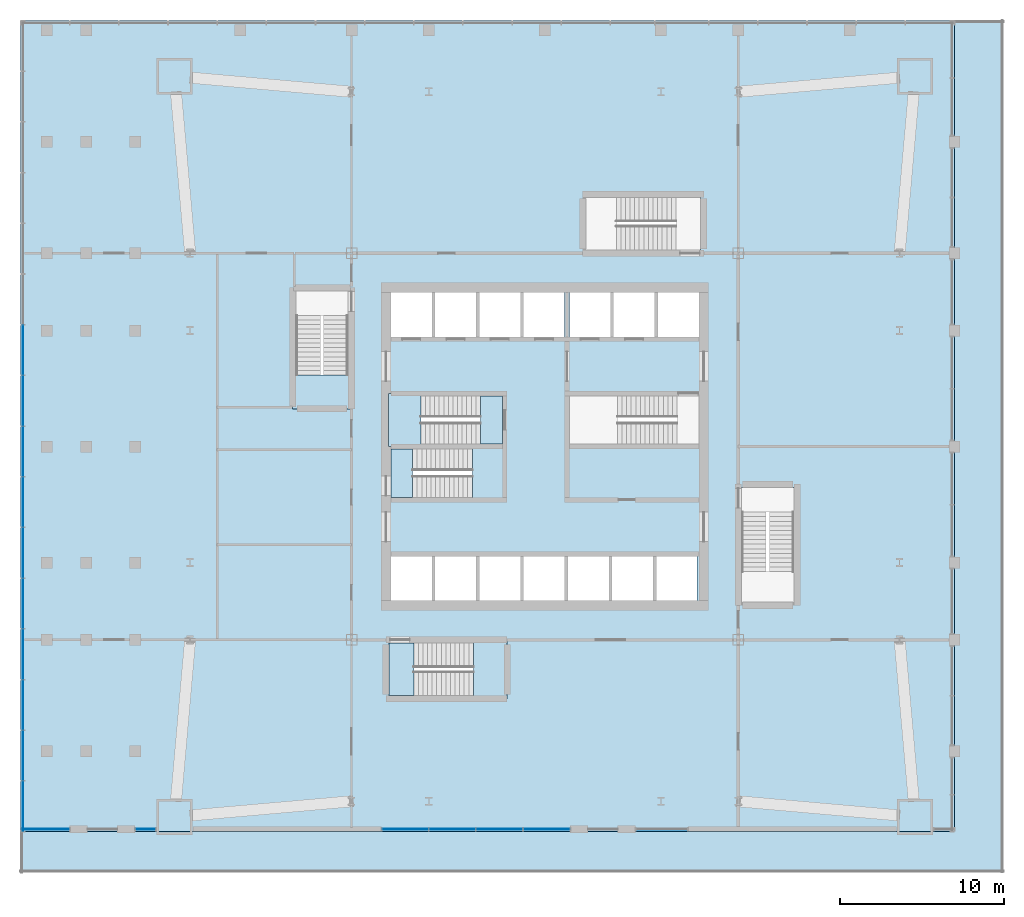
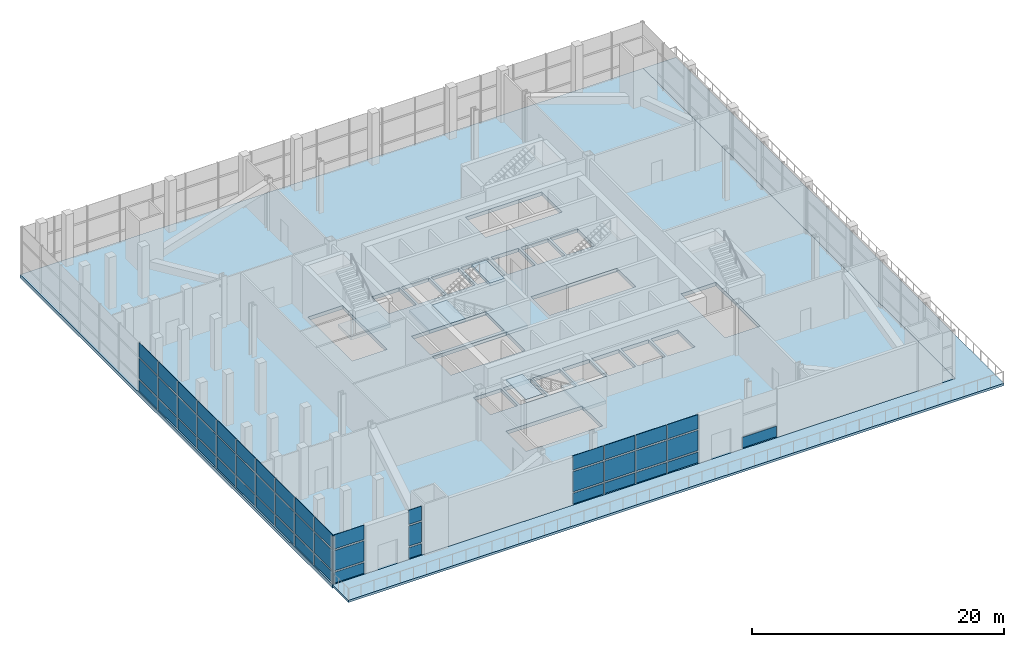
# One storey, part 6 of 12: 49 plates, 9 slabs, 9 elements without a shape of their own.
"""IFC4 building model written with IfcOpenShell, lengths in metres."""

from ifc_helpers import new_model, si_unit, direction, frame, origin, origin_2d, place, context, subcontext, project, spatial, polyline, rectangle, outline, extrude, material, layer, layer_set, type_object, element, aggregate, save


model = new_model("IFC4")

# Units and contexts
model_context = context("Model", 3, precision=1e-05, world=origin(), true_north=direction((0.0, 1.0)))
body_context = subcontext(model_context, "Body", "Model", "MODEL_VIEW")
ifc_project = project(units=[si_unit("LENGTHUNIT", "METRE"), si_unit("AREAUNIT", "SQUARE_METRE"), si_unit("VOLUMEUNIT", "CUBIC_METRE"), si_unit("PLANEANGLEUNIT", "RADIAN"), si_unit("MASSUNIT", "GRAM", prefix="KILO")], contexts=[model_context])

# Site, building, storey
site_placement = place(None, origin())
site = spatial("IfcSite", under=ifc_project, at=site_placement, CompositionType="ELEMENT")
building_placement = place(site_placement, origin())
building = spatial("IfcBuilding", under=site, at=building_placement, Name="Turquesa Mirador Hotel Tower", CompositionType="ELEMENT")
storey_placement = place(building_placement, frame((0.0, 0.0, 11.0)))
storey = spatial("IfcBuildingStorey", under=building, at=storey_placement, Name="L02", CompositionType="ELEMENT", Elevation=11.0)

# Curtain wall, plate
ifc_material_1 = material(Name="Aluminium extrusion", Category="aluminium")
curtain_wall_type = type_object("IfcCurtainWallType", Name="CW-2 PODIUM CURTAIN WALL", PredefinedType="USERDEFINED", material=ifc_material_1)
curtain_wall_1_placement = place(storey_placement, origin())
curtain_wall_1 = element("IfcCurtainWall", 1, at=curtain_wall_1_placement, inside=storey, type_object=curtain_wall_type, Name="CW-2 PODIUM CURTAIN WALL L02", ObjectType="CURTAIN WALL", PredefinedType="USERDEFINED")
ifc_material_2 = material(Name="Ceramic-printed spandrel glass on an insulated back pan", Category="glass")
ifc_layer_1 = layer(ifc_material_2, 0.050048828125)
ifc_layer_set_1 = layer_set([ifc_layer_1], Name="CW PANEL SPANDREL CERAMIC")
plate_type_1 = type_object("IfcPlateType", Name="CW PANEL SPANDREL CERAMIC", PredefinedType="CURTAIN_PANEL", material=ifc_layer_set_1)
plate_1_placement = place(storey_placement, frame((24.5, 21.64990234375, 0.0), z_axis=(0.0, 0.0, 1.0), x_axis=(1.0, 0.0, 0.0)))
plate_1 = element("IfcPlate", 2, at=plate_1_placement, type_object=plate_type_1, Name="Panel", PredefinedType="CURTAIN_PANEL", context=body_context, shape_type="SweptSolid", body=[
    extrude(rectangle(XDim=2.93505859375, YDim=0.050048828125, at=origin_2d()), origin(), (0.0, 0.0, 1.0), 1.02490234375),
])

curtain_wall_2_placement = place(storey_placement, origin())
curtain_wall_2 = element("IfcCurtainWall", 3, at=curtain_wall_2_placement, inside=storey, type_object=curtain_wall_type, Name="CW-2 PODIUM CURTAIN WALL L02", ObjectType="CURTAIN WALL", PredefinedType="USERDEFINED")
plate_2_placement = place(storey_placement, frame((30.6328125, 21.64990234375, 0.0), z_axis=(0.0, 0.0, 1.0), x_axis=(1.0, 0.0, 0.0)))
plate_2 = element("IfcPlate", 4, at=plate_2_placement, type_object=plate_type_1, Name="Panel", PredefinedType="CURTAIN_PANEL", context=body_context, shape_type="SweptSolid", body=[
    extrude(rectangle(XDim=1.200439453125, YDim=0.050048828125, at=origin_2d()), origin(), (0.0, 0.0, 1.0), 1.02490234375),
])

# Curtain wall, plates
curtain_wall_3_placement = place(storey_placement, origin())
curtain_wall_3 = element("IfcCurtainWall", 5, at=curtain_wall_3_placement, inside=storey, type_object=curtain_wall_type, Name="CW-2 PODIUM CURTAIN WALL L02", ObjectType="CURTAIN WALL", PredefinedType="USERDEFINED")
plate_3_placement = place(storey_placement, frame((46.47509765625, 21.64990234375, 0.0), z_axis=(0.0, 0.0, 1.0), x_axis=(1.0, 0.0, 0.0)))
plate_3 = element("IfcPlate", 6, at=plate_3_placement, type_object=plate_type_1, Name="Panel", PredefinedType="CURTAIN_PANEL", context=body_context, shape_type="SweptSolid", body=[
    extrude(rectangle(XDim=2.810791015625, YDim=0.050048828125, at=origin_2d()), origin(), (0.0, 0.0, 1.0), 1.02490234375),
])
plate_4_placement = place(storey_placement, frame((49.350830078125, 21.64990234375, 0.0), z_axis=(0.0, 0.0, 1.0), x_axis=(1.0, 0.0, 0.0)))
plate_4 = element("IfcPlate", 7, at=plate_4_placement, type_object=plate_type_1, Name="Panel", PredefinedType="CURTAIN_PANEL", context=body_context, shape_type="SweptSolid", body=[
    extrude(rectangle(XDim=2.810791015625, YDim=0.050048828125, at=origin_2d()), origin(), (0.0, 0.0, 1.0), 1.02490234375),
])
plate_5_placement = place(storey_placement, frame((52.2265625, 21.64990234375, 0.0), z_axis=(0.0, 0.0, 1.0), x_axis=(1.0, 0.0, 0.0)))
plate_5 = element("IfcPlate", 8, at=plate_5_placement, type_object=plate_type_1, Name="Panel", PredefinedType="CURTAIN_PANEL", context=body_context, shape_type="SweptSolid", body=[
    extrude(rectangle(XDim=2.810791015625, YDim=0.050048828125, at=origin_2d()), origin(), (0.0, 0.0, 1.0), 1.02490234375),
])
plate_6_placement = place(storey_placement, frame((55.10205078125, 21.64990234375, 0.0), z_axis=(0.0, 0.0, 1.0), x_axis=(1.0, 0.0, 0.0)))
plate_6 = element("IfcPlate", 9, at=plate_6_placement, type_object=plate_type_1, Name="Panel", PredefinedType="CURTAIN_PANEL", context=body_context, shape_type="SweptSolid", body=[
    extrude(rectangle(XDim=2.810791015625, YDim=0.050048828125, at=origin_2d()), origin(), (0.0, 0.0, 1.0), 1.02490234375),
])

# Curtain wall, plate
curtain_wall_4_placement = place(storey_placement, origin())
curtain_wall_4 = element("IfcCurtainWall", 10, at=curtain_wall_4_placement, inside=storey, type_object=curtain_wall_type, Name="CW-2 PODIUM CURTAIN WALL L02", ObjectType="CURTAIN WALL", PredefinedType="USERDEFINED")
plate_7_placement = place(storey_placement, frame((62.132568359375, 21.64990234375, 0.0), z_axis=(0.0, 0.0, 1.0), x_axis=(1.0, 0.0, 0.0)))
plate_7 = element("IfcPlate", 11, at=plate_7_placement, type_object=plate_type_1, Name="Panel", PredefinedType="CURTAIN_PANEL", context=body_context, shape_type="SweptSolid", body=[
    extrude(rectangle(XDim=3.1201171875, YDim=0.050048828125, at=origin_2d()), origin(), (0.0, 0.0, 1.0), 1.02490234375),
])
aggregate(curtain_wall_4, [plate_7])

# Curtain wall, plates
curtain_wall_5_placement = place(storey_placement, origin())
curtain_wall_5 = element("IfcCurtainWall", 12, at=curtain_wall_5_placement, inside=storey, type_object=curtain_wall_type, Name="CW-2 PODIUM CURTAIN WALL L02", ObjectType="CURTAIN WALL", PredefinedType="USERDEFINED")
plate_8_placement = place(storey_placement, frame((23.14990234375, 50.890625, 0.0), z_axis=(0.0, 0.0, 1.0), x_axis=(0.0, -1.0, 0.0)))
plate_8 = element("IfcPlate", 13, at=plate_8_placement, type_object=plate_type_1, Name="Panel", PredefinedType="CURTAIN_PANEL", context=body_context, shape_type="SweptSolid", body=[
    extrude(rectangle(XDim=3.02880859375, YDim=0.050048828125, at=origin_2d()), origin(), (0.0, 0.0, 1.0), 1.02490234375),
])
plate_9_placement = place(storey_placement, frame((23.14990234375, 47.796875, 0.0), z_axis=(0.0, 0.0, 1.0), x_axis=(0.0, -1.0, 0.0)))
plate_9 = element("IfcPlate", 14, at=plate_9_placement, type_object=plate_type_1, Name="Panel", PredefinedType="CURTAIN_PANEL", context=body_context, shape_type="SweptSolid", body=[
    extrude(rectangle(XDim=3.02880859375, YDim=0.050048828125, at=origin_2d()), origin(), (0.0, 0.0, 1.0), 1.02490234375),
])
plate_10_placement = place(storey_placement, frame((23.14990234375, 44.703125, 0.0), z_axis=(0.0, 0.0, 1.0), x_axis=(0.0, -1.0, 0.0)))
plate_10 = element("IfcPlate", 15, at=plate_10_placement, type_object=plate_type_1, Name="Panel", PredefinedType="CURTAIN_PANEL", context=body_context, shape_type="SweptSolid", body=[
    extrude(rectangle(XDim=3.02880859375, YDim=0.050048828125, at=origin_2d()), origin(), (0.0, 0.0, 1.0), 1.02490234375),
])
plate_11_placement = place(storey_placement, frame((23.14990234375, 41.609375, 0.0), z_axis=(0.0, 0.0, 1.0), x_axis=(0.0, -1.0, 0.0)))
plate_11 = element("IfcPlate", 16, at=plate_11_placement, type_object=plate_type_1, Name="Panel", PredefinedType="CURTAIN_PANEL", context=body_context, shape_type="SweptSolid", body=[
    extrude(rectangle(XDim=3.02880859375, YDim=0.050048828125, at=origin_2d()), origin(), (0.0, 0.0, 1.0), 1.02490234375),
])
plate_12_placement = place(storey_placement, frame((23.14990234375, 38.515625, 0.0), z_axis=(0.0, 0.0, 1.0), x_axis=(0.0, -1.0, 0.0)))
plate_12 = element("IfcPlate", 17, at=plate_12_placement, type_object=plate_type_1, Name="Panel", PredefinedType="CURTAIN_PANEL", context=body_context, shape_type="SweptSolid", body=[
    extrude(rectangle(XDim=3.02880859375, YDim=0.050048828125, at=origin_2d()), origin(), (0.0, 0.0, 1.0), 1.02490234375),
])
plate_13_placement = place(storey_placement, frame((23.14990234375, 35.421875, 0.0), z_axis=(0.0, 0.0, 1.0), x_axis=(0.0, -1.0, 0.0)))
plate_13 = element("IfcPlate", 18, at=plate_13_placement, type_object=plate_type_1, Name="Panel", PredefinedType="CURTAIN_PANEL", context=body_context, shape_type="SweptSolid", body=[
    extrude(rectangle(XDim=3.02880859375, YDim=0.050048828125, at=origin_2d()), origin(), (0.0, 0.0, 1.0), 1.02490234375),
])
plate_14_placement = place(storey_placement, frame((23.14990234375, 32.328125, 0.0), z_axis=(0.0, 0.0, 1.0), x_axis=(0.0, -1.0, 0.0)))
plate_14 = element("IfcPlate", 19, at=plate_14_placement, type_object=plate_type_1, Name="Panel", PredefinedType="CURTAIN_PANEL", context=body_context, shape_type="SweptSolid", body=[
    extrude(rectangle(XDim=3.02880859375, YDim=0.050048828125, at=origin_2d()), origin(), (0.0, 0.0, 1.0), 1.02490234375),
])
plate_15_placement = place(storey_placement, frame((23.14990234375, 29.234375, 0.0), z_axis=(0.0, 0.0, 1.0), x_axis=(0.0, -1.0, 0.0)))
plate_15 = element("IfcPlate", 20, at=plate_15_placement, type_object=plate_type_1, Name="Panel", PredefinedType="CURTAIN_PANEL", context=body_context, shape_type="SweptSolid", body=[
    extrude(rectangle(XDim=3.02880859375, YDim=0.050048828125, at=origin_2d()), origin(), (0.0, 0.0, 1.0), 1.02490234375),
])
plate_16_placement = place(storey_placement, frame((23.14990234375, 26.140625, 0.0), z_axis=(0.0, 0.0, 1.0), x_axis=(0.0, -1.0, 0.0)))
plate_16 = element("IfcPlate", 21, at=plate_16_placement, type_object=plate_type_1, Name="Panel", PredefinedType="CURTAIN_PANEL", context=body_context, shape_type="SweptSolid", body=[
    extrude(rectangle(XDim=3.02880859375, YDim=0.050048828125, at=origin_2d()), origin(), (0.0, 0.0, 1.0), 1.02490234375),
])
plate_17_placement = place(storey_placement, frame((23.14990234375, 23.046875, 0.0), z_axis=(0.0, 0.0, 1.0), x_axis=(0.0, -1.0, 0.0)))
plate_17 = element("IfcPlate", 22, at=plate_17_placement, type_object=plate_type_1, Name="Panel", PredefinedType="CURTAIN_PANEL", context=body_context, shape_type="SweptSolid", body=[
    extrude(rectangle(XDim=3.02880859375, YDim=0.050048828125, at=origin_2d()), origin(), (0.0, 0.0, 1.0), 1.02490234375),
])

# Plate
ifc_material_3 = material(Name="Ceramic-fritted laminated glass", Category="glass")
ifc_layer_2 = layer(ifc_material_3, 0.031982421875)
ifc_layer_set_2 = layer_set([ifc_layer_2], Name="CW PANEL VISION FRITTED")
plate_type_2 = type_object("IfcPlateType", Name="CW PANEL VISION FRITTED", PredefinedType="CURTAIN_PANEL", material=ifc_layer_set_2)
plate_18_placement = place(storey_placement, frame((24.5, 21.64990234375, 1.1748046875), z_axis=(0.0, 0.0, 1.0), x_axis=(1.0, 0.0, 0.0)))
plate_18 = element("IfcPlate", 23, at=plate_18_placement, type_object=plate_type_2, Name="Panel", PredefinedType="CURTAIN_PANEL", context=body_context, shape_type="SweptSolid", body=[
    extrude(rectangle(XDim=2.93505859375, YDim=0.031982421875, at=origin_2d()), origin(), (0.0, 0.0, 1.0), 1.949951171875),
])

plate_19_placement = place(storey_placement, frame((24.5, 21.64990234375, 3.27490234375), z_axis=(0.0, 0.0, 1.0), x_axis=(1.0, 0.0, 0.0)))
plate_19 = element("IfcPlate", 24, at=plate_19_placement, type_object=plate_type_2, Name="Panel", PredefinedType="CURTAIN_PANEL", context=body_context, shape_type="SweptSolid", body=[
    extrude(rectangle(XDim=2.93505859375, YDim=0.031982421875, at=origin_2d()), origin(), (0.0, 0.0, 1.0), 1.375),
])

aggregate(curtain_wall_1, [plate_1, plate_18, plate_19])

plate_20_placement = place(storey_placement, frame((30.6328125, 21.64990234375, 1.1748046875), z_axis=(0.0, 0.0, 1.0), x_axis=(1.0, 0.0, 0.0)))
plate_20 = element("IfcPlate", 25, at=plate_20_placement, type_object=plate_type_2, Name="Panel", PredefinedType="CURTAIN_PANEL", context=body_context, shape_type="SweptSolid", body=[
    extrude(rectangle(XDim=1.200439453125, YDim=0.031982421875, at=origin_2d()), origin(), (0.0, 0.0, 1.0), 1.949951171875),
])

plate_21_placement = place(storey_placement, frame((30.6328125, 21.64990234375, 3.27490234375), z_axis=(0.0, 0.0, 1.0), x_axis=(1.0, 0.0, 0.0)))
plate_21 = element("IfcPlate", 26, at=plate_21_placement, type_object=plate_type_2, Name="Panel", PredefinedType="CURTAIN_PANEL", context=body_context, shape_type="SweptSolid", body=[
    extrude(rectangle(XDim=1.200439453125, YDim=0.031982421875, at=origin_2d()), origin(), (0.0, 0.0, 1.0), 1.375),
])

aggregate(curtain_wall_2, [plate_2, plate_20, plate_21])

plate_22_placement = place(storey_placement, frame((46.47509765625, 21.64990234375, 1.1748046875), z_axis=(0.0, 0.0, 1.0), x_axis=(1.0, 0.0, 0.0)))
plate_22 = element("IfcPlate", 27, at=plate_22_placement, type_object=plate_type_2, Name="Panel", PredefinedType="CURTAIN_PANEL", context=body_context, shape_type="SweptSolid", body=[
    extrude(rectangle(XDim=2.810791015625, YDim=0.031982421875, at=origin_2d()), origin(), (0.0, 0.0, 1.0), 1.949951171875),
])

plate_23_placement = place(storey_placement, frame((46.47509765625, 21.64990234375, 3.27490234375), z_axis=(0.0, 0.0, 1.0), x_axis=(1.0, 0.0, 0.0)))
plate_23 = element("IfcPlate", 28, at=plate_23_placement, type_object=plate_type_2, Name="Panel", PredefinedType="CURTAIN_PANEL", context=body_context, shape_type="SweptSolid", body=[
    extrude(rectangle(XDim=2.810791015625, YDim=0.031982421875, at=origin_2d()), origin(), (0.0, 0.0, 1.0), 1.375),
])

plate_24_placement = place(storey_placement, frame((49.350830078125, 21.64990234375, 1.1748046875), z_axis=(0.0, 0.0, 1.0), x_axis=(1.0, 0.0, 0.0)))
plate_24 = element("IfcPlate", 29, at=plate_24_placement, type_object=plate_type_2, Name="Panel", PredefinedType="CURTAIN_PANEL", context=body_context, shape_type="SweptSolid", body=[
    extrude(rectangle(XDim=2.810791015625, YDim=0.031982421875, at=origin_2d()), origin(), (0.0, 0.0, 1.0), 1.949951171875),
])

plate_25_placement = place(storey_placement, frame((49.350830078125, 21.64990234375, 3.27490234375), z_axis=(0.0, 0.0, 1.0), x_axis=(1.0, 0.0, 0.0)))
plate_25 = element("IfcPlate", 30, at=plate_25_placement, type_object=plate_type_2, Name="Panel", PredefinedType="CURTAIN_PANEL", context=body_context, shape_type="SweptSolid", body=[
    extrude(rectangle(XDim=2.810791015625, YDim=0.031982421875, at=origin_2d()), origin(), (0.0, 0.0, 1.0), 1.375),
])

plate_26_placement = place(storey_placement, frame((52.2265625, 21.64990234375, 1.1748046875), z_axis=(0.0, 0.0, 1.0), x_axis=(1.0, 0.0, 0.0)))
plate_26 = element("IfcPlate", 31, at=plate_26_placement, type_object=plate_type_2, Name="Panel", PredefinedType="CURTAIN_PANEL", context=body_context, shape_type="SweptSolid", body=[
    extrude(rectangle(XDim=2.810791015625, YDim=0.031982421875, at=origin_2d()), origin(), (0.0, 0.0, 1.0), 1.949951171875),
])

plate_27_placement = place(storey_placement, frame((52.2265625, 21.64990234375, 3.27490234375), z_axis=(0.0, 0.0, 1.0), x_axis=(1.0, 0.0, 0.0)))
plate_27 = element("IfcPlate", 32, at=plate_27_placement, type_object=plate_type_2, Name="Panel", PredefinedType="CURTAIN_PANEL", context=body_context, shape_type="SweptSolid", body=[
    extrude(rectangle(XDim=2.810791015625, YDim=0.031982421875, at=origin_2d()), origin(), (0.0, 0.0, 1.0), 1.375),
])

plate_28_placement = place(storey_placement, frame((55.10205078125, 21.64990234375, 1.1748046875), z_axis=(0.0, 0.0, 1.0), x_axis=(1.0, 0.0, 0.0)))
plate_28 = element("IfcPlate", 33, at=plate_28_placement, type_object=plate_type_2, Name="Panel", PredefinedType="CURTAIN_PANEL", context=body_context, shape_type="SweptSolid", body=[
    extrude(rectangle(XDim=2.810791015625, YDim=0.031982421875, at=origin_2d()), origin(), (0.0, 0.0, 1.0), 1.949951171875),
])

plate_29_placement = place(storey_placement, frame((55.10205078125, 21.64990234375, 3.27490234375), z_axis=(0.0, 0.0, 1.0), x_axis=(1.0, 0.0, 0.0)))
plate_29 = element("IfcPlate", 34, at=plate_29_placement, type_object=plate_type_2, Name="Panel", PredefinedType="CURTAIN_PANEL", context=body_context, shape_type="SweptSolid", body=[
    extrude(rectangle(XDim=2.810791015625, YDim=0.031982421875, at=origin_2d()), origin(), (0.0, 0.0, 1.0), 1.375),
])

aggregate(curtain_wall_3, [plate_3, plate_22, plate_23, plate_4, plate_24, plate_25, plate_5, plate_26, plate_27, plate_6, plate_28, plate_29])

plate_30_placement = place(storey_placement, frame((23.14990234375, 50.890625, 1.1748046875), z_axis=(0.0, 0.0, 1.0), x_axis=(0.0, -1.0, 0.0)))
plate_30 = element("IfcPlate", 35, at=plate_30_placement, type_object=plate_type_2, Name="Panel", PredefinedType="CURTAIN_PANEL", context=body_context, shape_type="SweptSolid", body=[
    extrude(rectangle(XDim=3.02880859375, YDim=0.031982421875, at=origin_2d()), origin(), (0.0, 0.0, 1.0), 1.949951171875),
])

plate_31_placement = place(storey_placement, frame((23.14990234375, 50.890625, 3.27490234375), z_axis=(0.0, 0.0, 1.0), x_axis=(0.0, -1.0, 0.0)))
plate_31 = element("IfcPlate", 36, at=plate_31_placement, type_object=plate_type_2, Name="Panel", PredefinedType="CURTAIN_PANEL", context=body_context, shape_type="SweptSolid", body=[
    extrude(rectangle(XDim=3.02880859375, YDim=0.031982421875, at=origin_2d()), origin(), (0.0, 0.0, 1.0), 1.375),
])

plate_32_placement = place(storey_placement, frame((23.14990234375, 47.796875, 1.1748046875), z_axis=(0.0, 0.0, 1.0), x_axis=(0.0, -1.0, 0.0)))
plate_32 = element("IfcPlate", 37, at=plate_32_placement, type_object=plate_type_2, Name="Panel", PredefinedType="CURTAIN_PANEL", context=body_context, shape_type="SweptSolid", body=[
    extrude(rectangle(XDim=3.02880859375, YDim=0.031982421875, at=origin_2d()), origin(), (0.0, 0.0, 1.0), 1.949951171875),
])

plate_33_placement = place(storey_placement, frame((23.14990234375, 47.796875, 3.27490234375), z_axis=(0.0, 0.0, 1.0), x_axis=(0.0, -1.0, 0.0)))
plate_33 = element("IfcPlate", 38, at=plate_33_placement, type_object=plate_type_2, Name="Panel", PredefinedType="CURTAIN_PANEL", context=body_context, shape_type="SweptSolid", body=[
    extrude(rectangle(XDim=3.02880859375, YDim=0.031982421875, at=origin_2d()), origin(), (0.0, 0.0, 1.0), 1.375),
])

plate_34_placement = place(storey_placement, frame((23.14990234375, 44.703125, 1.1748046875), z_axis=(0.0, 0.0, 1.0), x_axis=(0.0, -1.0, 0.0)))
plate_34 = element("IfcPlate", 39, at=plate_34_placement, type_object=plate_type_2, Name="Panel", PredefinedType="CURTAIN_PANEL", context=body_context, shape_type="SweptSolid", body=[
    extrude(rectangle(XDim=3.02880859375, YDim=0.031982421875, at=origin_2d()), origin(), (0.0, 0.0, 1.0), 1.949951171875),
])

plate_35_placement = place(storey_placement, frame((23.14990234375, 44.703125, 3.27490234375), z_axis=(0.0, 0.0, 1.0), x_axis=(0.0, -1.0, 0.0)))
plate_35 = element("IfcPlate", 40, at=plate_35_placement, type_object=plate_type_2, Name="Panel", PredefinedType="CURTAIN_PANEL", context=body_context, shape_type="SweptSolid", body=[
    extrude(rectangle(XDim=3.02880859375, YDim=0.031982421875, at=origin_2d()), origin(), (0.0, 0.0, 1.0), 1.375),
])

plate_36_placement = place(storey_placement, frame((23.14990234375, 41.609375, 1.1748046875), z_axis=(0.0, 0.0, 1.0), x_axis=(0.0, -1.0, 0.0)))
plate_36 = element("IfcPlate", 41, at=plate_36_placement, type_object=plate_type_2, Name="Panel", PredefinedType="CURTAIN_PANEL", context=body_context, shape_type="SweptSolid", body=[
    extrude(rectangle(XDim=3.02880859375, YDim=0.031982421875, at=origin_2d()), origin(), (0.0, 0.0, 1.0), 1.949951171875),
])

plate_37_placement = place(storey_placement, frame((23.14990234375, 41.609375, 3.27490234375), z_axis=(0.0, 0.0, 1.0), x_axis=(0.0, -1.0, 0.0)))
plate_37 = element("IfcPlate", 42, at=plate_37_placement, type_object=plate_type_2, Name="Panel", PredefinedType="CURTAIN_PANEL", context=body_context, shape_type="SweptSolid", body=[
    extrude(rectangle(XDim=3.02880859375, YDim=0.031982421875, at=origin_2d()), origin(), (0.0, 0.0, 1.0), 1.375),
])

plate_38_placement = place(storey_placement, frame((23.14990234375, 38.515625, 1.1748046875), z_axis=(0.0, 0.0, 1.0), x_axis=(0.0, -1.0, 0.0)))
plate_38 = element("IfcPlate", 43, at=plate_38_placement, type_object=plate_type_2, Name="Panel", PredefinedType="CURTAIN_PANEL", context=body_context, shape_type="SweptSolid", body=[
    extrude(rectangle(XDim=3.02880859375, YDim=0.031982421875, at=origin_2d()), origin(), (0.0, 0.0, 1.0), 1.949951171875),
])

plate_39_placement = place(storey_placement, frame((23.14990234375, 38.515625, 3.27490234375), z_axis=(0.0, 0.0, 1.0), x_axis=(0.0, -1.0, 0.0)))
plate_39 = element("IfcPlate", 44, at=plate_39_placement, type_object=plate_type_2, Name="Panel", PredefinedType="CURTAIN_PANEL", context=body_context, shape_type="SweptSolid", body=[
    extrude(rectangle(XDim=3.02880859375, YDim=0.031982421875, at=origin_2d()), origin(), (0.0, 0.0, 1.0), 1.375),
])

plate_40_placement = place(storey_placement, frame((23.14990234375, 35.421875, 1.1748046875), z_axis=(0.0, 0.0, 1.0), x_axis=(0.0, -1.0, 0.0)))
plate_40 = element("IfcPlate", 45, at=plate_40_placement, type_object=plate_type_2, Name="Panel", PredefinedType="CURTAIN_PANEL", context=body_context, shape_type="SweptSolid", body=[
    extrude(rectangle(XDim=3.02880859375, YDim=0.031982421875, at=origin_2d()), origin(), (0.0, 0.0, 1.0), 1.949951171875),
])

plate_41_placement = place(storey_placement, frame((23.14990234375, 35.421875, 3.27490234375), z_axis=(0.0, 0.0, 1.0), x_axis=(0.0, -1.0, 0.0)))
plate_41 = element("IfcPlate", 46, at=plate_41_placement, type_object=plate_type_2, Name="Panel", PredefinedType="CURTAIN_PANEL", context=body_context, shape_type="SweptSolid", body=[
    extrude(rectangle(XDim=3.02880859375, YDim=0.031982421875, at=origin_2d()), origin(), (0.0, 0.0, 1.0), 1.375),
])

plate_42_placement = place(storey_placement, frame((23.14990234375, 32.328125, 1.1748046875), z_axis=(0.0, 0.0, 1.0), x_axis=(0.0, -1.0, 0.0)))
plate_42 = element("IfcPlate", 47, at=plate_42_placement, type_object=plate_type_2, Name="Panel", PredefinedType="CURTAIN_PANEL", context=body_context, shape_type="SweptSolid", body=[
    extrude(rectangle(XDim=3.02880859375, YDim=0.031982421875, at=origin_2d()), origin(), (0.0, 0.0, 1.0), 1.949951171875),
])

plate_43_placement = place(storey_placement, frame((23.14990234375, 32.328125, 3.27490234375), z_axis=(0.0, 0.0, 1.0), x_axis=(0.0, -1.0, 0.0)))
plate_43 = element("IfcPlate", 48, at=plate_43_placement, type_object=plate_type_2, Name="Panel", PredefinedType="CURTAIN_PANEL", context=body_context, shape_type="SweptSolid", body=[
    extrude(rectangle(XDim=3.02880859375, YDim=0.031982421875, at=origin_2d()), origin(), (0.0, 0.0, 1.0), 1.375),
])

plate_44_placement = place(storey_placement, frame((23.14990234375, 29.234375, 1.1748046875), z_axis=(0.0, 0.0, 1.0), x_axis=(0.0, -1.0, 0.0)))
plate_44 = element("IfcPlate", 49, at=plate_44_placement, type_object=plate_type_2, Name="Panel", PredefinedType="CURTAIN_PANEL", context=body_context, shape_type="SweptSolid", body=[
    extrude(rectangle(XDim=3.02880859375, YDim=0.031982421875, at=origin_2d()), origin(), (0.0, 0.0, 1.0), 1.949951171875),
])

plate_45_placement = place(storey_placement, frame((23.14990234375, 29.234375, 3.27490234375), z_axis=(0.0, 0.0, 1.0), x_axis=(0.0, -1.0, 0.0)))
plate_45 = element("IfcPlate", 50, at=plate_45_placement, type_object=plate_type_2, Name="Panel", PredefinedType="CURTAIN_PANEL", context=body_context, shape_type="SweptSolid", body=[
    extrude(rectangle(XDim=3.02880859375, YDim=0.031982421875, at=origin_2d()), origin(), (0.0, 0.0, 1.0), 1.375),
])

plate_46_placement = place(storey_placement, frame((23.14990234375, 26.140625, 1.1748046875), z_axis=(0.0, 0.0, 1.0), x_axis=(0.0, -1.0, 0.0)))
plate_46 = element("IfcPlate", 51, at=plate_46_placement, type_object=plate_type_2, Name="Panel", PredefinedType="CURTAIN_PANEL", context=body_context, shape_type="SweptSolid", body=[
    extrude(rectangle(XDim=3.02880859375, YDim=0.031982421875, at=origin_2d()), origin(), (0.0, 0.0, 1.0), 1.949951171875),
])

plate_47_placement = place(storey_placement, frame((23.14990234375, 26.140625, 3.27490234375), z_axis=(0.0, 0.0, 1.0), x_axis=(0.0, -1.0, 0.0)))
plate_47 = element("IfcPlate", 52, at=plate_47_placement, type_object=plate_type_2, Name="Panel", PredefinedType="CURTAIN_PANEL", context=body_context, shape_type="SweptSolid", body=[
    extrude(rectangle(XDim=3.02880859375, YDim=0.031982421875, at=origin_2d()), origin(), (0.0, 0.0, 1.0), 1.375),
])

plate_48_placement = place(storey_placement, frame((23.14990234375, 23.046875, 1.1748046875), z_axis=(0.0, 0.0, 1.0), x_axis=(0.0, -1.0, 0.0)))
plate_48 = element("IfcPlate", 53, at=plate_48_placement, type_object=plate_type_2, Name="Panel", PredefinedType="CURTAIN_PANEL", context=body_context, shape_type="SweptSolid", body=[
    extrude(rectangle(XDim=3.02880859375, YDim=0.031982421875, at=origin_2d()), origin(), (0.0, 0.0, 1.0), 1.949951171875),
])

plate_49_placement = place(storey_placement, frame((23.14990234375, 23.046875, 3.27490234375), z_axis=(0.0, 0.0, 1.0), x_axis=(0.0, -1.0, 0.0)))
plate_49 = element("IfcPlate", 54, at=plate_49_placement, type_object=plate_type_2, Name="Panel", PredefinedType="CURTAIN_PANEL", context=body_context, shape_type="SweptSolid", body=[
    extrude(rectangle(XDim=3.02880859375, YDim=0.031982421875, at=origin_2d()), origin(), (0.0, 0.0, 1.0), 1.375),
])

aggregate(curtain_wall_5, [plate_8, plate_30, plate_31, plate_9, plate_32, plate_33, plate_10, plate_34, plate_35, plate_11, plate_36, plate_37, plate_12, plate_38, plate_39, plate_13, plate_40, plate_41, plate_14, plate_42, plate_43, plate_15, plate_44, plate_45, plate_16, plate_46, plate_47, plate_17, plate_48, plate_49])

# Slab
ifc_material_4 = material(Name="Concrete C40/50", Category="concrete")
ifc_layer_3 = layer(ifc_material_4, 0.35009765625)
ifc_layer_set_3 = layer_set([ifc_layer_3], Name="FLAT SLAB 350")
slab_type_1 = type_object("IfcSlabType", Name="FLAT SLAB 350", PredefinedType="FLOOR", material=ifc_layer_set_3)
slab_1_placement = place(storey_placement, frame((0.0, 0.0, -0.35009765625)))
element("IfcSlab", 55, at=slab_1_placement, inside=storey, type_object=slab_type_1, Name="Floor slab L02", PredefinedType="FLOOR", context=body_context, shape_type="SweptSolid", body=[
    extrude(outline(polyline([(23.0, 21.5), (80.0, 21.5), (80.0, 71.0), (23.0, 71.0), (23.0, 21.5)]), holes=[polyline([(45.60009765625, 51.699951171875), (48.10009765625, 51.699951171875), (48.10009765625, 54.39990234375), (45.60009765625, 54.39990234375), (45.60009765625, 51.699951171875)]), polyline([(48.300048828125, 51.699951171875), (50.800048828125, 51.699951171875), (50.800048828125, 54.39990234375), (48.300048828125, 54.39990234375), (48.300048828125, 51.699951171875)]), polyline([(51.0, 51.699951171875), (53.5, 51.699951171875), (53.5, 54.39990234375), (51.0, 54.39990234375), (51.0, 51.699951171875)]), polyline([(53.699951171875, 51.699951171875), (56.199951171875, 51.699951171875), (56.199951171875, 54.39990234375), (53.699951171875, 54.39990234375), (53.699951171875, 51.699951171875)]), polyline([(56.5, 51.699951171875), (59.0, 51.699951171875), (59.0, 54.39990234375), (56.5, 54.39990234375), (56.5, 51.699951171875)]), polyline([(59.199951171875, 51.699951171875), (61.699951171875, 51.699951171875), (61.699951171875, 54.39990234375), (59.199951171875, 54.39990234375), (59.199951171875, 51.699951171875)]), polyline([(45.60009765625, 35.60009765625), (48.10009765625, 35.60009765625), (48.10009765625, 38.300048828125), (45.60009765625, 38.300048828125), (45.60009765625, 35.60009765625)]), polyline([(48.300048828125, 35.60009765625), (50.800048828125, 35.60009765625), (50.800048828125, 38.300048828125), (48.300048828125, 38.300048828125), (48.300048828125, 35.60009765625)]), polyline([(51.0, 35.60009765625), (53.5, 35.60009765625), (53.5, 38.300048828125), (51.0, 38.300048828125), (51.0, 35.60009765625)]), polyline([(53.699951171875, 35.60009765625), (56.199951171875, 35.60009765625), (56.199951171875, 38.300048828125), (53.699951171875, 38.300048828125), (53.699951171875, 35.60009765625)]), polyline([(56.39990234375, 35.60009765625), (58.89990234375, 35.60009765625), (58.89990234375, 38.300048828125), (56.39990234375, 38.300048828125), (56.39990234375, 35.60009765625)]), polyline([(59.10009765625, 35.60009765625), (61.60009765625, 35.60009765625), (61.60009765625, 38.300048828125), (59.10009765625, 38.300048828125), (59.10009765625, 35.60009765625)]), polyline([(61.800048828125, 35.60009765625), (64.300048828125, 35.60009765625), (64.300048828125, 38.300048828125), (61.800048828125, 38.300048828125), (61.800048828125, 35.60009765625)]), polyline([(45.60009765625, 45.14990234375), (52.39990234375, 45.14990234375), (52.39990234375, 48.10009765625), (45.60009765625, 48.10009765625), (45.60009765625, 45.14990234375)]), polyline([(45.60009765625, 41.89990234375), (52.39990234375, 41.89990234375), (52.39990234375, 44.85009765625), (45.60009765625, 44.85009765625), (45.60009765625, 41.89990234375)]), polyline([(56.5, 45.14990234375), (64.39990234375, 45.14990234375), (64.39990234375, 48.10009765625), (56.5, 48.10009765625), (56.5, 45.14990234375)]), polyline([(61.89990234375, 51.699951171875), (64.39990234375, 51.699951171875), (64.39990234375, 54.39990234375), (61.89990234375, 54.39990234375), (61.89990234375, 51.699951171875)]), polyline([(57.5, 57.0), (64.5, 57.0), (64.5, 60.199951171875), (57.5, 60.199951171875), (57.5, 57.0)]), polyline([(45.5, 29.800048828125), (52.5, 29.800048828125), (52.5, 33.0), (45.5, 33.0), (45.5, 29.800048828125)]), polyline([(67.0, 35.5), (70.199951171875, 35.5), (70.199951171875, 42.5), (67.0, 42.5), (67.0, 35.5)]), polyline([(39.800048828125, 47.5), (43.0, 47.5), (43.0, 54.5), (39.800048828125, 54.5), (39.800048828125, 47.5)])]), origin(), (0.0, 0.0, 1.0), 0.35009765625),
])

# Stair, slabs
ifc_material_5 = material(Name="Concrete C35/45", Category="concrete")
stair_type_1 = type_object("IfcStairType", Name="ESCAPE STAIR CORE", PredefinedType="HALF_TURN_STAIR", material=ifc_material_5)
stair_1_placement = place(storey_placement, origin())
stair_1 = element("IfcStair", 56, at=stair_1_placement, inside=storey, type_object=stair_type_1, Name="Stair ST1 L02 to L03", PredefinedType="HALF_TURN_STAIR")
ifc_material_6 = material(Name="Concrete C35/45", Category="concrete")
ifc_layer_4 = layer(ifc_material_6, 0.300048828125)
ifc_layer_set_4 = layer_set([ifc_layer_4], Name="STAIR LANDING 300")
slab_type_2 = type_object("IfcSlabType", Name="STAIR LANDING 300", PredefinedType="LANDING", material=ifc_layer_set_4)
slab_2_placement = place(storey_placement, frame((0.0, 0.0, 2.199951171875)))
slab_2 = element("IfcSlab", 57, at=slab_2_placement, type_object=slab_type_2, Name="ST1 landing 1", PredefinedType="LANDING", context=body_context, shape_type="SweptSolid", body=[
    extrude(outline(polyline([(45.449951171875, 45.0), (47.429931640625, 45.0), (47.429931640625, 48.25), (45.449951171875, 48.25), (45.449951171875, 45.0)])), origin(), (0.0, 0.0, 1.0), 0.300048828125),
])
slab_3_placement = place(storey_placement, frame((0.0, 0.0, 4.699951171875)))
slab_3 = element("IfcSlab", 58, at=slab_3_placement, type_object=slab_type_2, Name="ST1 landing 2", PredefinedType="LANDING", context=body_context, shape_type="SweptSolid", body=[
    extrude(outline(polyline([(51.070068359375, 45.14990234375), (52.39990234375, 45.14990234375), (52.39990234375, 48.10009765625), (51.070068359375, 48.10009765625), (51.070068359375, 45.14990234375)])), origin(), (0.0, 0.0, 1.0), 0.300048828125),
])
aggregate(stair_1, [slab_2, slab_3])

stair_2_placement = place(storey_placement, origin())
stair_2 = element("IfcStair", 59, at=stair_2_placement, inside=storey, type_object=stair_type_1, Name="Stair ST2 L02 to L03", PredefinedType="HALF_TURN_STAIR")
slab_4_placement = place(storey_placement, frame((0.0, 0.0, 2.199951171875)))
slab_4 = element("IfcSlab", 60, at=slab_4_placement, type_object=slab_type_2, Name="ST2 landing 1", PredefinedType="LANDING", context=body_context, shape_type="SweptSolid", body=[
    extrude(outline(polyline([(52.550048828125, 45.0), (50.570068359375, 45.0), (50.570068359375, 41.75), (52.550048828125, 41.75), (52.550048828125, 45.0)])), origin(), (0.0, 0.0, 1.0), 0.300048828125),
])
slab_5_placement = place(storey_placement, frame((0.0, 0.0, 4.699951171875)))
slab_5 = element("IfcSlab", 61, at=slab_5_placement, type_object=slab_type_2, Name="ST2 landing 2", PredefinedType="LANDING", context=body_context, shape_type="SweptSolid", body=[
    extrude(outline(polyline([(46.929931640625, 44.85009765625), (45.60009765625, 44.85009765625), (45.60009765625, 41.89990234375), (46.929931640625, 41.89990234375), (46.929931640625, 44.85009765625)])), origin(), (0.0, 0.0, 1.0), 0.300048828125),
])
aggregate(stair_2, [slab_4, slab_5])

ifc_material_7 = material(Name="Concrete C35/45", Category="concrete")
stair_type_2 = type_object("IfcStairType", Name="ESCAPE STAIR PODIUM", PredefinedType="HALF_TURN_STAIR", material=ifc_material_7)
stair_3_placement = place(storey_placement, origin())
stair_3 = element("IfcStair", 62, at=stair_3_placement, inside=storey, type_object=stair_type_2, Name="Stair PS2 L02 to L03", PredefinedType="HALF_TURN_STAIR")
slab_6_placement = place(storey_placement, frame((0.0, 0.0, 2.199951171875)))
slab_6 = element("IfcSlab", 63, at=slab_6_placement, type_object=slab_type_2, Name="PS2 landing 1", PredefinedType="LANDING", context=body_context, shape_type="SweptSolid", body=[
    extrude(outline(polyline([(52.699951171875, 33.199951171875), (50.639892578125, 33.199951171875), (50.639892578125, 29.60009765625), (52.699951171875, 29.60009765625), (52.699951171875, 33.199951171875)])), origin(), (0.0, 0.0, 1.0), 0.300048828125),
])
slab_7_placement = place(storey_placement, frame((0.0, 0.0, 4.699951171875)))
slab_7 = element("IfcSlab", 64, at=slab_7_placement, type_object=slab_type_2, Name="PS2 landing 2", PredefinedType="LANDING", context=body_context, shape_type="SweptSolid", body=[
    extrude(outline(polyline([(47.0, 33.0), (45.5, 33.0), (45.5, 29.800048828125), (47.0, 29.800048828125), (47.0, 33.0)])), origin(), (0.0, 0.0, 1.0), 0.300048828125),
])
aggregate(stair_3, [slab_6, slab_7])

# Stair, slab
stair_4_placement = place(storey_placement, origin())
stair_4 = element("IfcStair", 65, at=stair_4_placement, inside=storey, type_object=stair_type_2, Name="Stair PS4 L02 to L03", PredefinedType="HALF_TURN_STAIR")
slab_8_placement = place(storey_placement, frame((0.0, 0.0, 2.199951171875)))
slab_8 = element("IfcSlab", 66, at=slab_8_placement, type_object=slab_type_2, Name="PS4 landing 1", PredefinedType="LANDING", context=body_context, shape_type="SweptSolid", body=[
    extrude(outline(polyline([(39.60009765625, 47.300048828125), (43.199951171875, 47.300048828125), (43.199951171875, 49.360107421875), (39.60009765625, 49.360107421875), (39.60009765625, 47.300048828125)])), origin(), (0.0, 0.0, 1.0), 0.300048828125),
])
aggregate(stair_4, [slab_8])

# Slab
ifc_material_8 = material(Name="Concrete C35/45 with stone paving", Category="masonry")
ifc_layer_5 = layer(ifc_material_8, 0.219970703125)
ifc_layer_set_5 = layer_set([ifc_layer_5], Name="TERRACE SLAB 220")
slab_type_3 = type_object("IfcSlabType", Name="TERRACE SLAB 220", PredefinedType="ROOF", material=ifc_layer_set_5)
slab_9_placement = place(storey_placement, frame((0.0, 0.0, -0.219970703125)))
element("IfcSlab", 67, at=slab_9_placement, inside=storey, type_object=slab_type_3, Name="Restaurant terrace", PredefinedType="ROOF", context=body_context, shape_type="SweptSolid", body=[
    extrude(outline(polyline([(83.0, 71.0), (83.0, 19.0), (23.0, 19.0), (23.0, 21.5), (80.0, 21.5), (80.0, 71.0), (83.0, 71.0)])), origin(), (0.0, 0.0, 1.0), 0.219970703125),
])

save(model, "model.ifc")
